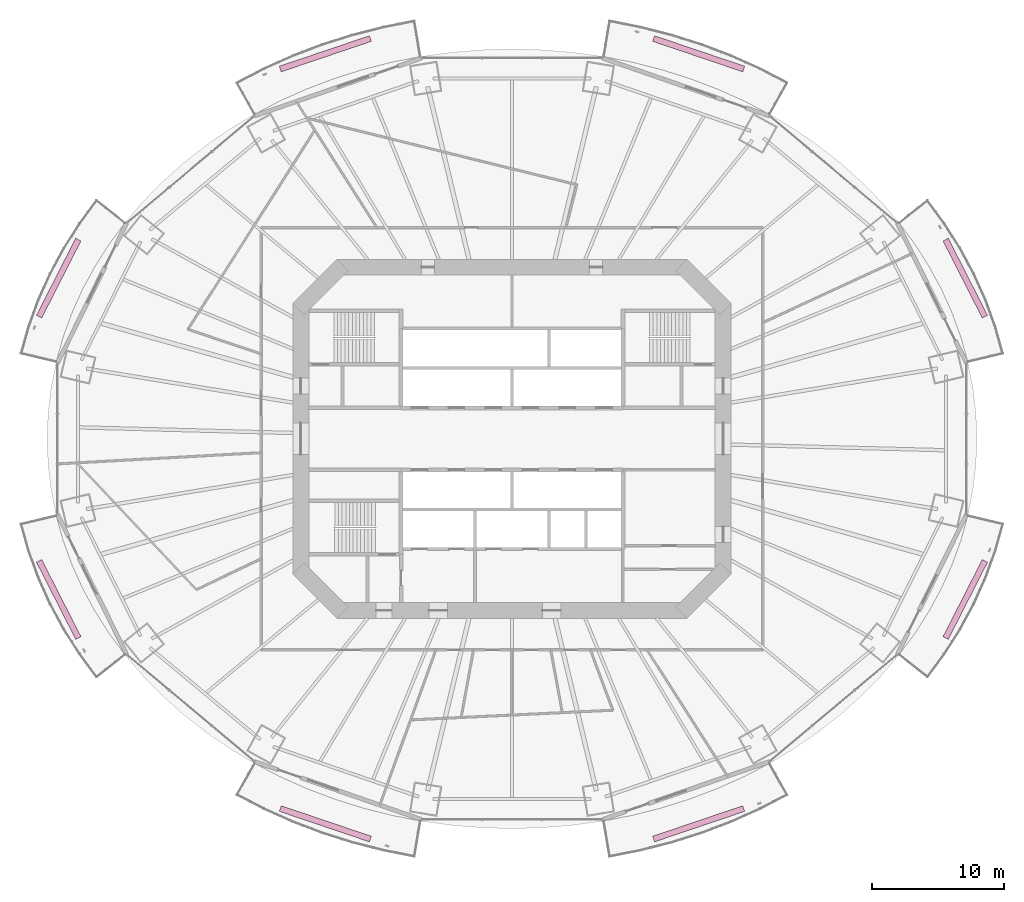
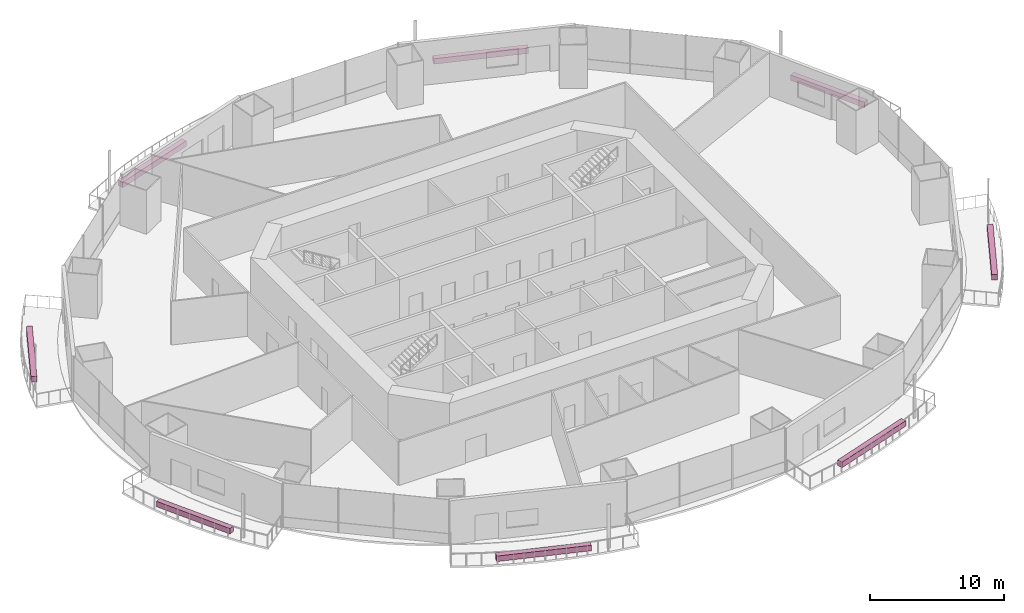
# One storey, part 22 of 22: 8 furnishings.
"""IFC4 building model written with IfcOpenShell, lengths in metres."""

from ifc_helpers import new_model, si_unit, direction, frame, origin, origin_2d, place, context, subcontext, project, spatial, rectangle, extrude, material, type_object, element, save


model = new_model("IFC4")

# Units and contexts
model_context = context("Model", 3, precision=1e-05, world=origin(), true_north=direction((0.0, 1.0)))
body_context = subcontext(model_context, "Body", "Model", "MODEL_VIEW")
ifc_project = project(units=[si_unit("LENGTHUNIT", "METRE"), si_unit("AREAUNIT", "SQUARE_METRE"), si_unit("VOLUMEUNIT", "CUBIC_METRE"), si_unit("PLANEANGLEUNIT", "RADIAN"), si_unit("MASSUNIT", "GRAM", prefix="KILO")], contexts=[model_context])

# Site, building, storey
site_placement = place(None, origin())
site = spatial("IfcSite", under=ifc_project, at=site_placement, CompositionType="ELEMENT")
building_placement = place(site_placement, origin())
building = spatial("IfcBuilding", under=site, at=building_placement, Name="Marenthal Gate Tower", CompositionType="ELEMENT")
storey_placement = place(building_placement, frame((0.0, 0.0, 86.949951171875)))
storey = spatial("IfcBuildingStorey", under=building, at=storey_placement, Name="L17", CompositionType="ELEMENT", Elevation=86.949951171875)

# Furnishings
ifc_material = material(Name="Planting soil and foliage", Category="planting")
furnishing_element_type = type_object("IfcFurnishingElementType", Name="Balcony PLANTER trough", material=ifc_material)
furnishing_1_placement = place(storey_placement, frame((34.342041015625, 12.1787109375, -0.0400390625), z_axis=(0.0, 0.0, 1.0), x_axis=(-0.453616424886, 0.891197025956, 0.0)))
element("IfcFurnishingElement", 1, at=furnishing_1_placement, inside=storey, type_object=furnishing_element_type, Name="Balcony PLANTER L17 bay 1", ObjectType="PLANTER", context=body_context, shape_type="SweptSolid", body=[
    extrude(rectangle(XDim=6.549072265625, YDim=0.449951171875, at=origin_2d()), origin(), (0.0, 0.0, 1.0), 0.5),
])
for number, where, z_axis, x_axis, name in (
    (2, (14.14306640625, 29.172119140625, -0.0400390625), (0.0, 0.0, 1.0), (-0.947301642878, 0.32034293718, 0.0), "Balcony PLANTER L17 bay 3"),
    (3, (-14.14306640625, 29.172119140625, -0.0400390625), (0.0, 0.0, 1.0), (-0.947301642878, -0.32034293718, 0.0), "Balcony PLANTER L17 bay 5"),
):
    element("IfcFurnishingElement", number, at=place(storey_placement, frame(where, z_axis=z_axis, x_axis=x_axis)), inside=storey, type_object=furnishing_element_type, Name=name, ObjectType="PLANTER", context=body_context, shape_type="SweptSolid", body=[
        extrude(rectangle(XDim=7.203125, YDim=0.449951171875, at=origin_2d()), origin(), (0.0, 0.0, 1.0), 0.5),
    ])
for number, where, z_axis, x_axis, name in (
    (4, (-34.342041015625, 12.1787109375, -0.0400390625), (0.0, 0.0, 1.0), (-0.453616424886, -0.891197025956, 0.0), "Balcony PLANTER L17 bay 7"),
    (5, (-34.342041015625, -12.1787109375, -0.0400390625), (0.0, 0.0, 1.0), (0.453616424886, -0.891197025956, 0.0), "Balcony PLANTER L17 bay 9"),
):
    element("IfcFurnishingElement", number, at=place(storey_placement, frame(where, z_axis=z_axis, x_axis=x_axis)), inside=storey, type_object=furnishing_element_type, Name=name, ObjectType="PLANTER", context=body_context, shape_type="SweptSolid", body=[
        extrude(rectangle(XDim=6.549072265625, YDim=0.449951171875, at=origin_2d()), origin(), (0.0, 0.0, 1.0), 0.5),
    ])
for number, where, z_axis, x_axis, name in (
    (6, (-14.14306640625, -29.172119140625, -0.0400390625), (0.0, 0.0, 1.0), (0.947301642878, -0.32034293718, 0.0), "Balcony PLANTER L17 bay 11"),
    (7, (14.14306640625, -29.172119140625, -0.0400390625), (0.0, 0.0, 1.0), (0.947301642878, 0.32034293718, 0.0), "Balcony PLANTER L17 bay 13"),
):
    element("IfcFurnishingElement", number, at=place(storey_placement, frame(where, z_axis=z_axis, x_axis=x_axis)), inside=storey, type_object=furnishing_element_type, Name=name, ObjectType="PLANTER", context=body_context, shape_type="SweptSolid", body=[
        extrude(rectangle(XDim=7.203125, YDim=0.449951171875, at=origin_2d()), origin(), (0.0, 0.0, 1.0), 0.5),
    ])
furnishing_2_placement = place(storey_placement, frame((34.342041015625, -12.1787109375, -0.0400390625), z_axis=(0.0, 0.0, 1.0), x_axis=(0.453616424886, 0.891197025956, 0.0)))
element("IfcFurnishingElement", 8, at=furnishing_2_placement, inside=storey, type_object=furnishing_element_type, Name="Balcony PLANTER L17 bay 15", ObjectType="PLANTER", context=body_context, shape_type="SweptSolid", body=[
    extrude(rectangle(XDim=6.549072265625, YDim=0.449951171875, at=origin_2d()), origin(), (0.0, 0.0, 1.0), 0.5),
])

save(model, "model.ifc")
